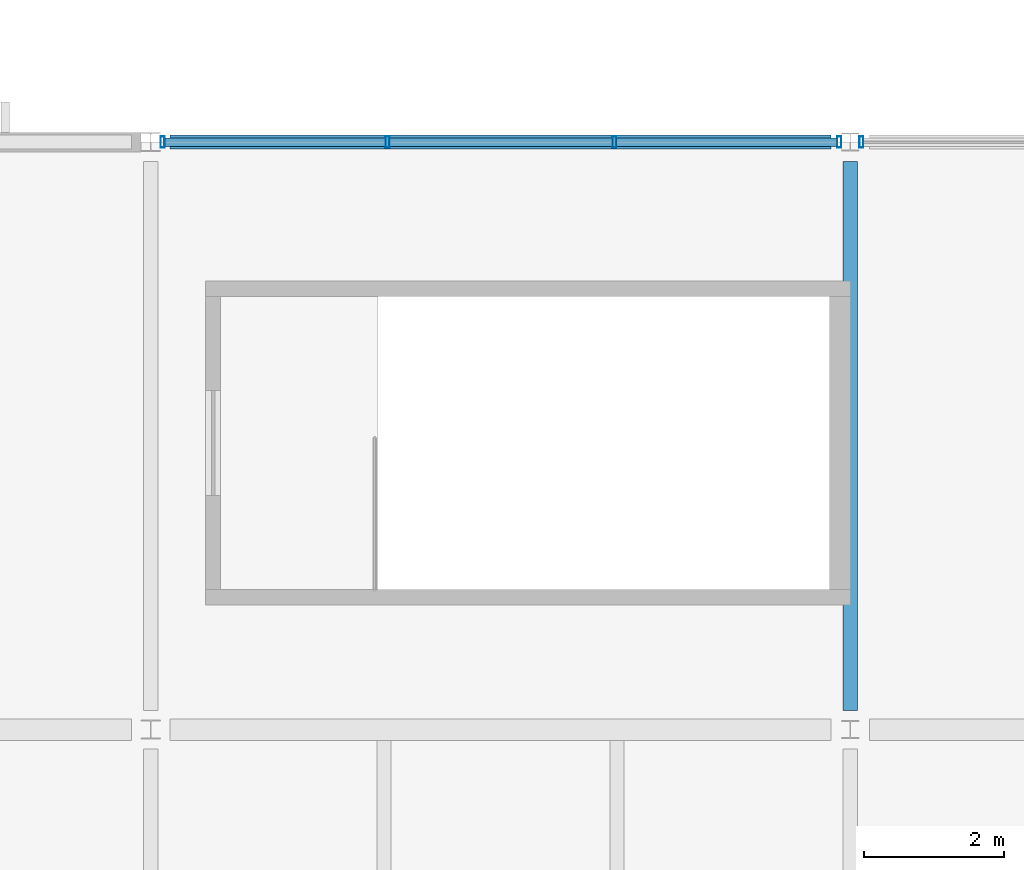
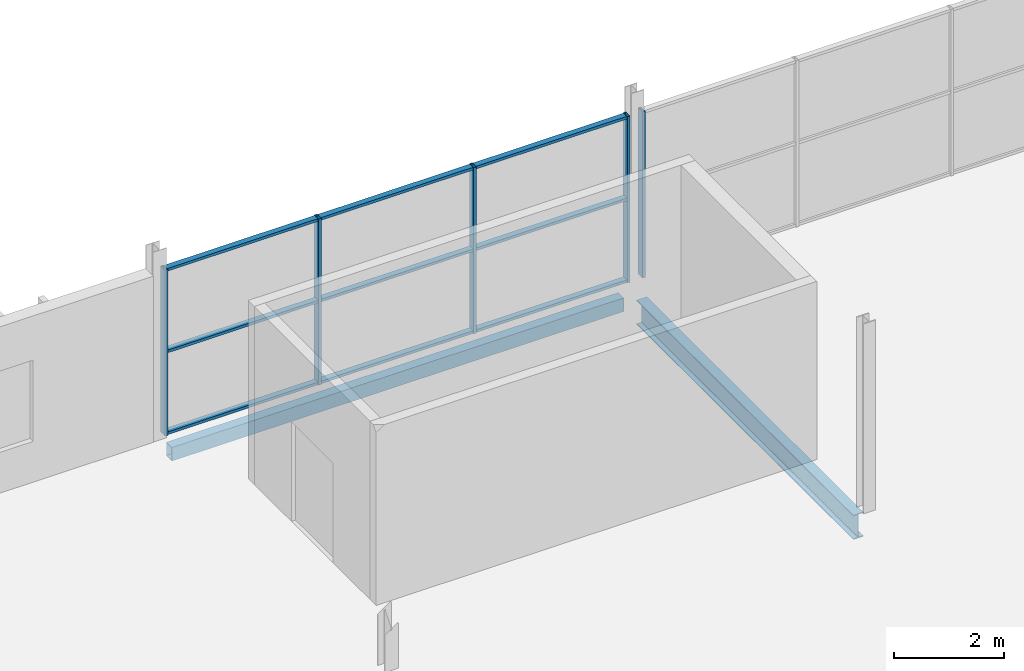
# One storey, part 117 of 161: 14 members, 2 beams, 2 elements without a shape of their own.
"""IFC4 building model written with IfcOpenShell, lengths in metres."""

from ifc_helpers import new_model, si_unit, direction, frame, origin, origin_2d, place, context, subcontext, project, spatial, hollow_rectangle, i_section, extrude, material, material_profile, profile_set, type_object, element, aggregate, save


model = new_model("IFC4")

# Units and contexts
model_context = context("Model", 3, precision=1e-05, world=origin(), true_north=direction((0.0, 1.0)))
body_context = subcontext(model_context, "Body", "Model", "MODEL_VIEW")
ifc_project = project(units=[si_unit("LENGTHUNIT", "METRE"), si_unit("AREAUNIT", "SQUARE_METRE"), si_unit("VOLUMEUNIT", "CUBIC_METRE"), si_unit("PLANEANGLEUNIT", "RADIAN"), si_unit("MASSUNIT", "GRAM", prefix="KILO"), si_unit("THERMODYNAMICTEMPERATUREUNIT", "KELVIN")], contexts=[model_context])

# Site, building, storey
site_placement = place(None, origin())
site = spatial("IfcSite", under=ifc_project, at=site_placement, CompositionType="ELEMENT")
building_placement = place(site_placement, origin())
building = spatial("IfcBuilding", under=site, at=building_placement, Name="Nduvali Passage Aquatics Centre", CompositionType="ELEMENT")
storey_placement = place(building_placement, frame((0.0, 0.0, 4.800048828125)))
storey = spatial("IfcBuildingStorey", under=building, at=storey_placement, Name="L01", CompositionType="ELEMENT", Elevation=4.800048828125)

# Curtain wall, members
ifc_material_1 = material(Name="Aluminium EN AW-6063 T6", Category="aluminium")
curtain_wall_type = type_object("IfcCurtainWallType", Name="ENV-CW-PASS", PredefinedType="NOTDEFINED", material=ifc_material_1)
curtain_wall_1_placement = place(storey_placement, origin())
curtain_wall_1 = element("IfcCurtainWall", 1, at=curtain_wall_1_placement, inside=storey, type_object=curtain_wall_type, Name="L01 North Cafe Upper CW 096", PredefinedType="NOTDEFINED")
ifc_material_profile_1 = material_profile(ifc_material_1, hollow_rectangle(XDim=0.06005859375, YDim=0.159912109375, WallThickness=0.00390625, at=origin_2d()), Name="ALU MULLION 60x160x4")
ifc_profile_set_1 = profile_set([ifc_material_profile_1], Name="Aluminium EN AW-6063 T6")
member_type_1 = type_object("IfcMemberType", Name="ENV-MEM-MUL60", PredefinedType="MULLION", material=ifc_profile_set_1)
member_1_placement = place(storey_placement, frame((148.169921875, 92.39990234375, 0.0), z_axis=(0.0, 0.0, 1.0), x_axis=(1.0, 0.0, 0.0)))
member_1 = element("IfcMember", 2, at=member_1_placement, type_object=member_type_1, Name="North Cafe Upper CW Mullion 1", PredefinedType="MULLION", context=body_context, shape_type="SweptSolid", body=[
    extrude(hollow_rectangle(XDim=0.06005859375, YDim=0.159912109375, WallThickness=0.00390625, at=origin_2d()), origin(), (0.0, 0.0, 1.0), 3.676025390625),
])
member_2_placement = place(storey_placement, frame((151.384033203125, 92.39990234375, 0.0), z_axis=(0.0, 0.0, 1.0), x_axis=(1.0, 0.0, 0.0)))
member_2 = element("IfcMember", 3, at=member_2_placement, type_object=member_type_1, Name="North Cafe Upper CW Mullion 2", PredefinedType="MULLION", context=body_context, shape_type="SweptSolid", body=[
    extrude(hollow_rectangle(XDim=0.06005859375, YDim=0.159912109375, WallThickness=0.00390625, at=origin_2d()), origin(), (0.0, 0.0, 1.0), 3.676025390625),
])
member_3_placement = place(storey_placement, frame((154.6279296875, 92.39990234375, 0.0), z_axis=(0.0, 0.0, 1.0), x_axis=(1.0, 0.0, 0.0)))
member_3 = element("IfcMember", 4, at=member_3_placement, type_object=member_type_1, Name="North Cafe Upper CW Mullion 3", PredefinedType="MULLION", context=body_context, shape_type="SweptSolid", body=[
    extrude(hollow_rectangle(XDim=0.06005859375, YDim=0.159912109375, WallThickness=0.00390625, at=origin_2d()), origin(), (0.0, 0.0, 1.0), 3.676025390625),
])
member_4_placement = place(storey_placement, frame((157.841796875, 92.39990234375, 0.0), z_axis=(0.0, 0.0, 1.0), x_axis=(1.0, 0.0, 0.0)))
member_4 = element("IfcMember", 5, at=member_4_placement, type_object=member_type_1, Name="North Cafe Upper CW Mullion 4", PredefinedType="MULLION", context=body_context, shape_type="SweptSolid", body=[
    extrude(hollow_rectangle(XDim=0.06005859375, YDim=0.159912109375, WallThickness=0.00390625, at=origin_2d()), origin(), (0.0, 0.0, 1.0), 3.676025390625),
])

# Curtain wall, member
curtain_wall_2_placement = place(storey_placement, origin())
curtain_wall_2 = element("IfcCurtainWall", 6, at=curtain_wall_2_placement, inside=storey, type_object=curtain_wall_type, Name="L01 North Cafe Upper CW 098", PredefinedType="NOTDEFINED")
member_5_placement = place(storey_placement, frame((158.158203125, 92.39990234375, 0.0), z_axis=(0.0, 0.0, 1.0), x_axis=(1.0, 0.0, 0.0)))
member_5 = element("IfcMember", 7, at=member_5_placement, type_object=member_type_1, Name="North Cafe Upper CW Mullion 1", PredefinedType="MULLION", context=body_context, shape_type="SweptSolid", body=[
    extrude(hollow_rectangle(XDim=0.06005859375, YDim=0.159912109375, WallThickness=0.00390625, at=origin_2d()), origin(), (0.0, 0.0, 1.0), 3.676025390625),
])
aggregate(curtain_wall_2, [member_5])

# Member
ifc_material_profile_2 = material_profile(ifc_material_1, hollow_rectangle(XDim=0.1201171875, YDim=0.06005859375, WallThickness=0.00390625, at=origin_2d()), Name="ALU TRANSOM 120x60x4")
ifc_profile_set_2 = profile_set([ifc_material_profile_2], Name="Aluminium EN AW-6063 T6")
member_type_2 = type_object("IfcMemberType", Name="ENV-MEM-TRN60", PredefinedType="USERDEFINED", material=ifc_profile_set_2)
member_6_placement = place(storey_placement, frame((148.199951171875, 92.39990234375, 0.030029296875), z_axis=(1.0, 0.0, 0.0), x_axis=(0.0, 1.0, 0.0)))
member_6 = element("IfcMember", 8, at=member_6_placement, type_object=member_type_2, Name="North Cafe Upper CW Transom B1-R0", ObjectType="TRANSOM", PredefinedType="USERDEFINED", context=body_context, shape_type="SweptSolid", body=[
    extrude(hollow_rectangle(XDim=0.1201171875, YDim=0.06005859375, WallThickness=0.00390625, at=origin_2d()), origin(), (0.0, 0.0, 1.0), 3.154052734375),
])

member_7_placement = place(storey_placement, frame((148.199951171875, 92.39990234375, 1.837890625), z_axis=(1.0, 0.0, 0.0), x_axis=(0.0, 1.0, 0.0)))
member_7 = element("IfcMember", 9, at=member_7_placement, type_object=member_type_2, Name="North Cafe Upper CW Transom B1-R1", ObjectType="TRANSOM", PredefinedType="USERDEFINED", context=body_context, shape_type="SweptSolid", body=[
    extrude(hollow_rectangle(XDim=0.1201171875, YDim=0.06005859375, WallThickness=0.00390625, at=origin_2d()), origin(), (0.0, 0.0, 1.0), 3.154052734375),
])

member_8_placement = place(storey_placement, frame((148.199951171875, 92.39990234375, 3.64599609375), z_axis=(1.0, 0.0, 0.0), x_axis=(0.0, 1.0, 0.0)))
member_8 = element("IfcMember", 10, at=member_8_placement, type_object=member_type_2, Name="North Cafe Upper CW Transom B1-R2", ObjectType="TRANSOM", PredefinedType="USERDEFINED", context=body_context, shape_type="SweptSolid", body=[
    extrude(hollow_rectangle(XDim=0.1201171875, YDim=0.06005859375, WallThickness=0.00390625, at=origin_2d()), origin(), (0.0, 0.0, 1.0), 3.154052734375),
])

member_9_placement = place(storey_placement, frame((151.4140625, 92.39990234375, 0.030029296875), z_axis=(1.0, 0.0, 0.0), x_axis=(0.0, 1.0, 0.0)))
member_9 = element("IfcMember", 11, at=member_9_placement, type_object=member_type_2, Name="North Cafe Upper CW Transom B2-R0", ObjectType="TRANSOM", PredefinedType="USERDEFINED", context=body_context, shape_type="SweptSolid", body=[
    extrude(hollow_rectangle(XDim=0.1201171875, YDim=0.06005859375, WallThickness=0.00390625, at=origin_2d()), origin(), (0.0, 0.0, 1.0), 3.183837890625),
])

member_10_placement = place(storey_placement, frame((151.4140625, 92.39990234375, 1.837890625), z_axis=(1.0, 0.0, 0.0), x_axis=(0.0, 1.0, 0.0)))
member_10 = element("IfcMember", 12, at=member_10_placement, type_object=member_type_2, Name="North Cafe Upper CW Transom B2-R1", ObjectType="TRANSOM", PredefinedType="USERDEFINED", context=body_context, shape_type="SweptSolid", body=[
    extrude(hollow_rectangle(XDim=0.1201171875, YDim=0.06005859375, WallThickness=0.00390625, at=origin_2d()), origin(), (0.0, 0.0, 1.0), 3.183837890625),
])

member_11_placement = place(storey_placement, frame((151.4140625, 92.39990234375, 3.64599609375), z_axis=(1.0, 0.0, 0.0), x_axis=(0.0, 1.0, 0.0)))
member_11 = element("IfcMember", 13, at=member_11_placement, type_object=member_type_2, Name="North Cafe Upper CW Transom B2-R2", ObjectType="TRANSOM", PredefinedType="USERDEFINED", context=body_context, shape_type="SweptSolid", body=[
    extrude(hollow_rectangle(XDim=0.1201171875, YDim=0.06005859375, WallThickness=0.00390625, at=origin_2d()), origin(), (0.0, 0.0, 1.0), 3.183837890625),
])

member_12_placement = place(storey_placement, frame((154.657958984375, 92.39990234375, 0.030029296875), z_axis=(1.0, 0.0, 0.0), x_axis=(0.0, 1.0, 0.0)))
member_12 = element("IfcMember", 14, at=member_12_placement, type_object=member_type_2, Name="North Cafe Upper CW Transom B3-R0", ObjectType="TRANSOM", PredefinedType="USERDEFINED", context=body_context, shape_type="SweptSolid", body=[
    extrude(hollow_rectangle(XDim=0.1201171875, YDim=0.06005859375, WallThickness=0.00390625, at=origin_2d()), origin(), (0.0, 0.0, 1.0), 3.154052734375),
])

member_13_placement = place(storey_placement, frame((154.657958984375, 92.39990234375, 1.837890625), z_axis=(1.0, 0.0, 0.0), x_axis=(0.0, 1.0, 0.0)))
member_13 = element("IfcMember", 15, at=member_13_placement, type_object=member_type_2, Name="North Cafe Upper CW Transom B3-R1", ObjectType="TRANSOM", PredefinedType="USERDEFINED", context=body_context, shape_type="SweptSolid", body=[
    extrude(hollow_rectangle(XDim=0.1201171875, YDim=0.06005859375, WallThickness=0.00390625, at=origin_2d()), origin(), (0.0, 0.0, 1.0), 3.154052734375),
])

member_14_placement = place(storey_placement, frame((154.657958984375, 92.39990234375, 3.64599609375), z_axis=(1.0, 0.0, 0.0), x_axis=(0.0, 1.0, 0.0)))
member_14 = element("IfcMember", 16, at=member_14_placement, type_object=member_type_2, Name="North Cafe Upper CW Transom B3-R2", ObjectType="TRANSOM", PredefinedType="USERDEFINED", context=body_context, shape_type="SweptSolid", body=[
    extrude(hollow_rectangle(XDim=0.1201171875, YDim=0.06005859375, WallThickness=0.00390625, at=origin_2d()), origin(), (0.0, 0.0, 1.0), 3.154052734375),
])

aggregate(curtain_wall_1, [member_1, member_2, member_3, member_4, member_6, member_7, member_8, member_9, member_10, member_11, member_12, member_13, member_14])

# Beams
ifc_material_2 = material(Name="Steel S355", Category="steel")
ifc_material_profile_3 = material_profile(ifc_material_2, i_section(OverallWidth=0.210693359375, OverallDepth=0.53955078125, WebThickness=0.01171875, FlangeThickness=0.018798828125, FilletRadius=0.0126953125, at=origin_2d()), Name="UKB 533x210x109")
ifc_profile_set_3 = profile_set([ifc_material_profile_3], Name="Steel S355")
beam_type_1 = type_object("IfcBeamType", Name="STR-BM-UKB533", PredefinedType="BEAM", material=ifc_profile_set_3)
beam_1_placement = place(storey_placement, frame((158.0, 84.27490234375, -0.553955078125), z_axis=(0.0, 1.0, 0.0), x_axis=(-1.0, 0.0, 0.0)))
element("IfcBeam", 17, at=beam_1_placement, inside=storey, type_object=beam_type_1, Name="L01 Primary Y-Girder B6-0681", PredefinedType="BEAM", context=body_context, shape_type="SweptSolid", body=[
    extrude(i_section(OverallWidth=0.210693359375, OverallDepth=0.53955078125, WebThickness=0.01171875, FlangeThickness=0.018798828125, FilletRadius=0.0126953125, at=origin_2d()), origin(), (0.0, 0.0, 1.0), 7.85009765625),
])
ifc_material_profile_4 = material_profile(ifc_material_2, hollow_rectangle(XDim=0.199951171875, YDim=0.300048828125, WallThickness=0.010009765625, at=origin_2d()), Name="RHS 300x200x10.0")
ifc_profile_set_4 = profile_set([ifc_material_profile_4], Name="Steel S355")
beam_type_2 = type_object("IfcBeamType", Name="STR-SPN-RHS300-EXT", PredefinedType="SPANDREL", material=ifc_profile_set_4)
beam_2_placement = place(storey_placement, frame((148.27490234375, 92.39990234375, -0.43408203125), z_axis=(1.0, 0.0, 0.0), x_axis=(0.0, 1.0, 0.0)))
element("IfcBeam", 18, at=beam_2_placement, inside=storey, type_object=beam_type_2, Name="L01 Primary X-Girder SP3E-0535", PredefinedType="SPANDREL", context=body_context, shape_type="SweptSolid", body=[
    extrude(hollow_rectangle(XDim=0.199951171875, YDim=0.300048828125, WallThickness=0.010009765625, at=origin_2d()), origin(), (0.0, 0.0, 1.0), 9.4501953125),
])

save(model, "model.ifc")
